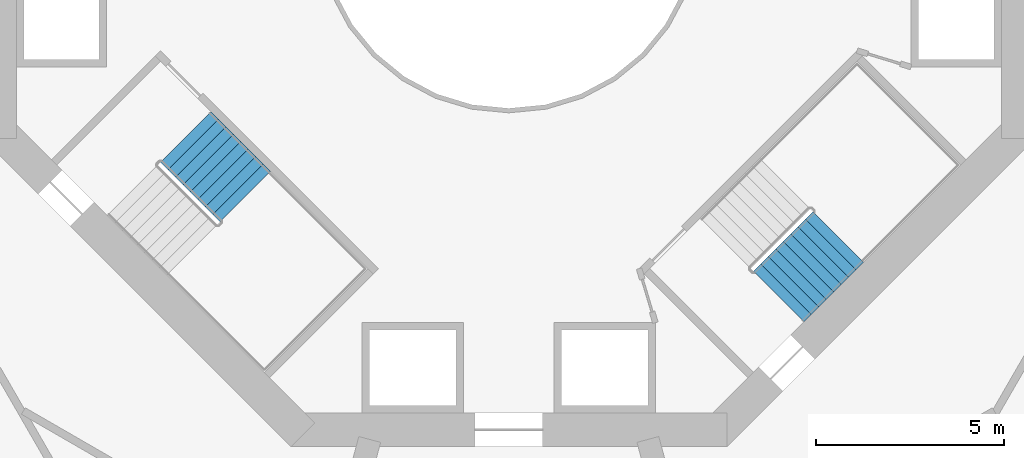
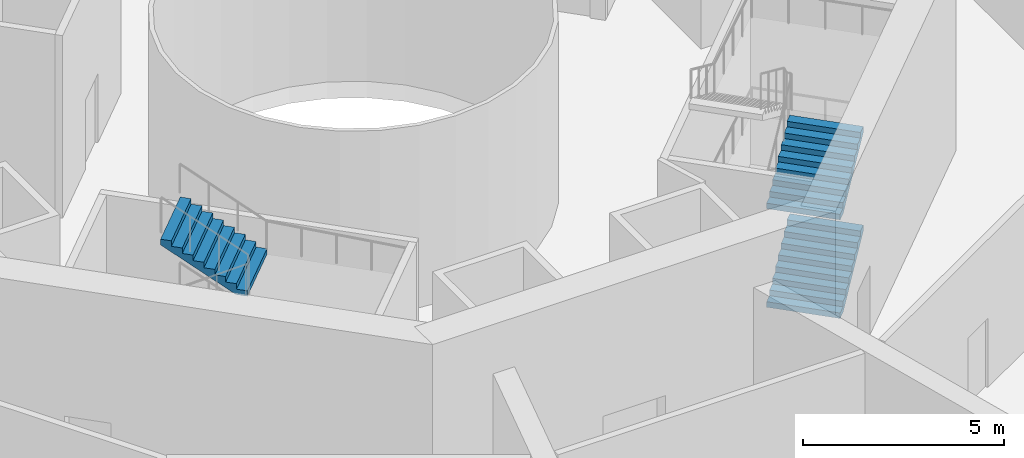
# One storey, part 8 of 12: 3 stair flights, 2 elements without a shape of their own.
"""IFC4 building model written with IfcOpenShell, lengths in metres."""

from ifc_helpers import new_model, si_unit, direction, frame, origin, place, context, subcontext, project, spatial, triangles, material, type_object, element, aggregate, save


model = new_model("IFC4")

# Units and contexts
model_context = context("Model", 3, precision=1e-05, world=origin(), true_north=direction((0.0, 1.0)))
body_context = subcontext(model_context, "Body", "Model", "MODEL_VIEW")
ifc_project = project(units=[si_unit("LENGTHUNIT", "METRE"), si_unit("AREAUNIT", "SQUARE_METRE"), si_unit("VOLUMEUNIT", "CUBIC_METRE"), si_unit("PLANEANGLEUNIT", "RADIAN"), si_unit("MASSUNIT", "GRAM", prefix="KILO")], contexts=[model_context])

# Site, building, storey
site_placement = place(None, origin())
site = spatial("IfcSite", under=ifc_project, at=site_placement, CompositionType="ELEMENT")
building_placement = place(site_placement, origin())
building = spatial("IfcBuilding", under=site, at=building_placement, Name="Verdalira Terraces Hotel", CompositionType="ELEMENT")
storey_placement = place(building_placement, frame((0.0, 0.0, 28.0)))
storey = spatial("IfcBuildingStorey", under=building, at=storey_placement, Name="L05", CompositionType="ELEMENT", Elevation=28.0)

# Stair, stair flight
ifc_material_1 = material(Name="Concrete C40", Category="concrete")
stair_type = type_object("IfcStairType", Name="Core stair 36 risers 1900 mm wide", PredefinedType="HALF_TURN_STAIR", material=ifc_material_1)
stair_1_placement = place(storey_placement, origin())
stair_1 = element("IfcStair", 1, at=stair_1_placement, inside=storey, type_object=stair_type, Name="L05 Exit stair ST2", PredefinedType="HALF_TURN_STAIR")
ifc_material_2 = material(Name="Concrete C40", Category="concrete")
stair_flight_type = type_object("IfcStairFlightType", Name="Core stair flight 36 risers 1900 mm wide", PredefinedType="STRAIGHT", material=ifc_material_2)
stair_flight_1_placement = place(storey_placement, frame((-7.007324, -7.346924, 4.5), z_axis=(0.0, 0.0, 1.0), x_axis=(-0.707106781, 0.707106781, 0.0)))
stair_flight_1 = element("IfcStairFlight", 2, at=stair_flight_1_placement, type_object=stair_flight_type, Name="ST2 flight 4", NumberOfRisers=9, NumberOfTreads=8, PredefinedType="STRAIGHT", RiserHeight=0.166666667, TreadLength=0.28, context=body_context, shape_type="Tessellation", body=[
    triangles([(0.0, 0.949951, 0.0), (0.292969, 0.949951, 0.0), (2.23999, 0.949951, 1.158936), (0.0, -0.949951, 0.0), (0.292969, -0.949951, 0.0), (2.23999, -0.949951, 1.158936), (2.23999, 0.949951, 1.333252), (1.959961, 0.949951, 1.333252), (2.23999, -0.949951, 1.333252), (1.959961, -0.949951, 1.333252), (1.959961, 0.949951, 1.166748), (1.959961, -0.949951, 1.166748), (1.679932, 0.949951, 1.166748), (1.679932, -0.949951, 1.166748), (1.679932, 0.949951, 1.0), (1.679932, -0.949951, 1.0), (1.399902, 0.949951, 1.0), (1.399902, 0.949951, 0.833252), (1.399902, -0.949951, 1.0), (1.399902, -0.949951, 0.833252), (1.120117, 0.949951, 0.833252), (1.120117, 0.949951, 0.666748), (1.120117, -0.949951, 0.833252), (1.120117, -0.949951, 0.666748), (0.840088, 0.949951, 0.666748), (0.840088, 0.949951, 0.5), (0.840088, -0.949951, 0.666748), (0.840088, -0.949951, 0.5), (0.560059, 0.949951, 0.5), (0.560059, 0.949951, 0.333252), (0.560059, -0.949951, 0.5), (0.560059, -0.949951, 0.333252), (0.280029, 0.949951, 0.333252), (0.280029, 0.949951, 0.166748), (0.280029, -0.949951, 0.333252), (0.280029, -0.949951, 0.166748), (0.0, 0.949951, 0.166748), (0.0, -0.949951, 0.166748), (0.0, -0.890579, 0.0), (0.0, -0.890579, 0.166748), (0.0, -0.831207, 0.0), (0.0, -0.831207, 0.166748), (0.0, -0.771835, 0.0), (0.0, -0.771835, 0.166748), (0.0, -0.712463, 0.0), (0.0, -0.712463, 0.166748), (0.0, -0.653091, 0.0), (0.0, -0.653091, 0.166748), (0.0, -0.593719, 0.0), (0.0, -0.593719, 0.166748), (0.0, -0.534348, 0.0), (0.0, -0.534348, 0.166748), (0.0, -0.474976, 0.0), (0.0, -0.474976, 0.166748), (0.0, -0.415604, 0.0), (0.0, -0.415604, 0.166748), (0.0, -0.356232, 0.0), (0.0, -0.356232, 0.166748), (0.0, -0.29686, 0.0), (0.0, -0.29686, 0.166748), (0.0, -0.237488, 0.0), (0.0, -0.237488, 0.166748), (0.0, -0.178116, 0.0), (0.0, -0.178116, 0.166748), (0.0, -0.118744, 0.0), (0.0, -0.118744, 0.166748), (0.0, -0.059372, 0.0), (0.0, -0.059372, 0.166748), (0.0, 0.0, 0.0), (0.0, 0.0, 0.166748), (0.0, 0.059372, 0.0), (0.0, 0.059372, 0.166748), (0.0, 0.118744, 0.0), (0.0, 0.118744, 0.166748), (0.0, 0.178116, 0.0), (0.0, 0.178116, 0.166748), (0.0, 0.237488, 0.0), (0.0, 0.237488, 0.166748), (0.0, 0.29686, 0.0), (0.0, 0.29686, 0.166748), (0.0, 0.356232, 0.0), (0.0, 0.356232, 0.166748), (0.0, 0.415604, 0.0), (0.0, 0.415604, 0.166748), (0.0, 0.474976, 0.0), (0.0, 0.474976, 0.166748), (0.0, 0.534348, 0.0), (0.0, 0.534348, 0.166748), (0.0, 0.593719, 0.0), (0.0, 0.593719, 0.166748), (0.0, 0.653091, 0.0), (0.0, 0.653091, 0.166748), (0.0, 0.712463, 0.0), (0.0, 0.712463, 0.166748), (0.0, 0.771835, 0.0), (0.0, 0.771835, 0.166748), (0.0, 0.831207, 0.0), (0.0, 0.831207, 0.166748), (0.0, 0.890579, 0.0), (0.0, 0.890579, 0.166748), (2.23999, -0.890579, 1.333252), (2.23999, -0.831207, 1.333252), (2.23999, -0.771835, 1.333252), (2.23999, -0.712463, 1.333252), (2.23999, -0.653091, 1.333252), (2.23999, -0.593719, 1.333252), (2.23999, -0.534348, 1.333252), (2.23999, -0.474976, 1.333252), (2.23999, -0.415604, 1.333252), (2.23999, -0.356232, 1.333252), (2.23999, -0.29686, 1.333252), (2.23999, -0.237488, 1.333252), (2.23999, -0.178116, 1.333252), (2.23999, -0.118744, 1.333252), (2.23999, -0.059372, 1.333252), (2.23999, 0.0, 1.333252), (2.23999, 0.059372, 1.333252), (2.23999, 0.118744, 1.333252), (2.23999, 0.178116, 1.333252), (2.23999, 0.237488, 1.333252), (2.23999, 0.29686, 1.333252), (2.23999, 0.356232, 1.333252), (2.23999, 0.415604, 1.333252), (2.23999, 0.474976, 1.333252), (2.23999, 0.534348, 1.333252), (2.23999, 0.593719, 1.333252), (2.23999, 0.653091, 1.333252), (2.23999, 0.712463, 1.333252), (2.23999, 0.771835, 1.333252), (2.23999, 0.831207, 1.333252), (2.23999, 0.890579, 1.333252), (2.23999, -0.890579, 1.158936), (2.23999, -0.831207, 1.158936), (2.23999, -0.771835, 1.158936), (2.23999, -0.712463, 1.158936), (2.23999, -0.653091, 1.158936), (2.23999, -0.593719, 1.158936), (2.23999, -0.534348, 1.158936), (2.23999, -0.474976, 1.158936), (2.23999, -0.415604, 1.158936), (2.23999, -0.356232, 1.158936), (2.23999, -0.29686, 1.158936), (2.23999, -0.237488, 1.158936), (2.23999, -0.178116, 1.158936), (2.23999, -0.118744, 1.158936), (2.23999, -0.059372, 1.158936), (2.23999, 0.0, 1.158936), (2.23999, 0.059372, 1.158936), (2.23999, 0.118744, 1.158936), (2.23999, 0.178116, 1.158936), (2.23999, 0.237488, 1.158936), (2.23999, 0.29686, 1.158936), (2.23999, 0.356232, 1.158936), (2.23999, 0.415604, 1.158936), (2.23999, 0.474976, 1.158936), (2.23999, 0.534348, 1.158936), (2.23999, 0.593719, 1.158936), (2.23999, 0.653091, 1.158936), (2.23999, 0.712463, 1.158936), (2.23999, 0.771835, 1.158936), (2.23999, 0.831207, 1.158936), (2.23999, 0.890579, 1.158936)], [[1, 3, 2], [4, 5, 6], [3, 8, 7], [6, 9, 10], [3, 11, 8], [6, 10, 12], [3, 13, 11], [6, 12, 14], [3, 15, 13], [6, 14, 16], [15, 18, 17], [16, 19, 20], [3, 18, 15], [6, 16, 20], [18, 22, 21], [20, 23, 24], [3, 22, 18], [6, 20, 24], [22, 26, 25], [24, 27, 28], [3, 26, 22], [6, 24, 28], [26, 30, 29], [28, 31, 32], [3, 30, 26], [6, 28, 32], [1, 30, 3], [4, 6, 32], [30, 34, 33], [32, 35, 36], [1, 34, 30], [4, 32, 36], [34, 1, 37], [36, 38, 4], [4, 40, 39], [4, 38, 40], [39, 42, 41], [39, 40, 42], [41, 44, 43], [41, 42, 44], [43, 46, 45], [43, 44, 46], [45, 48, 47], [45, 46, 48], [47, 50, 49], [47, 48, 50], [49, 52, 51], [49, 50, 52], [51, 54, 53], [51, 52, 54], [53, 56, 55], [53, 54, 56], [55, 58, 57], [55, 56, 58], [57, 60, 59], [57, 58, 60], [59, 62, 61], [59, 60, 62], [61, 64, 63], [61, 62, 64], [63, 66, 65], [63, 64, 66], [65, 68, 67], [65, 66, 68], [67, 70, 69], [67, 68, 70], [69, 72, 71], [69, 70, 72], [71, 74, 73], [71, 72, 74], [73, 76, 75], [73, 74, 76], [75, 78, 77], [75, 76, 78], [77, 80, 79], [77, 78, 80], [79, 82, 81], [79, 80, 82], [81, 84, 83], [81, 82, 84], [83, 86, 85], [83, 84, 86], [85, 88, 87], [85, 86, 88], [87, 90, 89], [87, 88, 90], [89, 92, 91], [89, 90, 92], [91, 94, 93], [91, 92, 94], [93, 96, 95], [93, 94, 96], [95, 98, 97], [95, 96, 98], [97, 100, 99], [97, 98, 100], [99, 37, 1], [99, 100, 37], [38, 36, 40], [40, 36, 42], [42, 36, 44], [44, 36, 46], [46, 36, 48], [48, 36, 50], [50, 36, 52], [52, 36, 54], [54, 36, 56], [56, 36, 58], [58, 36, 60], [60, 36, 62], [62, 36, 64], [64, 36, 66], [66, 36, 68], [68, 36, 70], [70, 36, 72], [72, 36, 74], [74, 36, 76], [76, 36, 78], [78, 36, 80], [80, 36, 82], [82, 36, 84], [84, 36, 86], [86, 36, 88], [88, 36, 90], [90, 36, 92], [92, 36, 94], [94, 36, 96], [96, 36, 98], [98, 36, 100], [100, 36, 37], [37, 36, 34], [36, 33, 34], [36, 35, 33], [35, 30, 33], [35, 32, 30], [32, 29, 30], [32, 31, 29], [31, 26, 29], [31, 28, 26], [28, 25, 26], [28, 27, 25], [27, 22, 25], [27, 24, 22], [24, 21, 22], [24, 23, 21], [23, 18, 21], [23, 20, 18], [20, 17, 18], [20, 19, 17], [19, 15, 17], [19, 16, 15], [16, 13, 15], [16, 14, 13], [14, 11, 13], [14, 12, 11], [12, 8, 11], [12, 10, 8], [9, 101, 10], [101, 102, 10], [102, 103, 10], [103, 104, 10], [104, 105, 10], [105, 106, 10], [106, 107, 10], [107, 108, 10], [108, 109, 10], [109, 110, 10], [110, 111, 10], [111, 112, 10], [112, 113, 10], [113, 114, 10], [114, 115, 10], [115, 116, 10], [116, 117, 10], [117, 118, 10], [118, 119, 10], [119, 120, 10], [120, 121, 10], [121, 122, 10], [122, 123, 10], [123, 124, 10], [124, 125, 10], [125, 126, 10], [126, 127, 10], [127, 128, 10], [128, 129, 10], [129, 130, 10], [130, 131, 10], [131, 7, 10], [7, 8, 10], [9, 132, 101], [9, 6, 132], [101, 133, 102], [101, 132, 133], [102, 134, 103], [102, 133, 134], [103, 135, 104], [103, 134, 135], [104, 136, 105], [104, 135, 136], [105, 137, 106], [105, 136, 137], [106, 138, 107], [106, 137, 138], [107, 139, 108], [107, 138, 139], [108, 140, 109], [108, 139, 140], [109, 141, 110], [109, 140, 141], [110, 142, 111], [110, 141, 142], [111, 143, 112], [111, 142, 143], [112, 144, 113], [112, 143, 144], [113, 145, 114], [113, 144, 145], [114, 146, 115], [114, 145, 146], [115, 147, 116], [115, 146, 147], [116, 148, 117], [116, 147, 148], [117, 149, 118], [117, 148, 149], [118, 150, 119], [118, 149, 150], [119, 151, 120], [119, 150, 151], [120, 152, 121], [120, 151, 152], [121, 153, 122], [121, 152, 153], [122, 154, 123], [122, 153, 154], [123, 155, 124], [123, 154, 155], [124, 156, 125], [124, 155, 156], [125, 157, 126], [125, 156, 157], [126, 158, 127], [126, 157, 158], [127, 159, 128], [127, 158, 159], [128, 160, 129], [128, 159, 160], [129, 161, 130], [129, 160, 161], [130, 162, 131], [130, 161, 162], [131, 3, 7], [131, 162, 3], [6, 5, 132], [132, 5, 133], [133, 5, 134], [134, 5, 135], [135, 5, 136], [136, 5, 137], [137, 5, 138], [138, 5, 139], [139, 5, 140], [140, 5, 141], [141, 5, 142], [142, 5, 143], [143, 5, 144], [144, 5, 145], [145, 5, 146], [146, 5, 147], [147, 5, 148], [148, 5, 149], [149, 5, 150], [150, 5, 151], [151, 5, 152], [152, 5, 153], [153, 5, 154], [154, 5, 155], [155, 5, 156], [156, 5, 157], [157, 5, 158], [158, 5, 159], [159, 5, 160], [160, 5, 161], [161, 5, 162], [162, 5, 3], [3, 5, 2], [4, 39, 5], [39, 41, 5], [41, 43, 5], [43, 45, 5], [45, 47, 5], [47, 49, 5], [49, 51, 5], [51, 53, 5], [53, 55, 5], [55, 57, 5], [57, 59, 5], [59, 61, 5], [61, 63, 5], [63, 65, 5], [65, 67, 5], [67, 69, 5], [69, 71, 5], [71, 73, 5], [73, 75, 5], [75, 77, 5], [77, 79, 5], [79, 81, 5], [81, 83, 5], [83, 85, 5], [85, 87, 5], [87, 89, 5], [89, 91, 5], [91, 93, 5], [93, 95, 5], [95, 97, 5], [97, 99, 5], [99, 1, 5], [1, 2, 5]], closed=True),
])
aggregate(stair_1, [stair_flight_1])

# Stair, stair flights
stair_2_placement = place(storey_placement, origin())
stair_2 = element("IfcStair", 3, at=stair_2_placement, inside=storey, type_object=stair_type, Name="L05 Exit stair ST3", PredefinedType="HALF_TURN_STAIR")
stair_flight_2_placement = place(storey_placement, frame((7.177246, -10.005615, 0.0), z_axis=(0.0, 0.0, 1.0), x_axis=(0.707106781, 0.707106781, 0.0)))
stair_flight_2 = element("IfcStairFlight", 4, at=stair_flight_2_placement, type_object=stair_flight_type, Name="ST3 flight 1", NumberOfRisers=9, NumberOfTreads=8, PredefinedType="STRAIGHT", RiserHeight=0.166666667, TreadLength=0.28, context=body_context, shape_type="Tessellation", body=[
    triangles([(0.0, 0.949951, 0.0), (0.292969, 0.949951, 0.0), (2.23999, 0.949951, 1.158936), (0.0, -0.949951, 0.0), (0.292969, -0.949951, 0.0), (2.23999, -0.949951, 1.158936), (2.23999, 0.949951, 1.333252), (1.959961, 0.949951, 1.333252), (2.23999, -0.949951, 1.333252), (1.959961, -0.949951, 1.333252), (1.959961, 0.949951, 1.166748), (1.959961, -0.949951, 1.166748), (1.679932, 0.949951, 1.166748), (1.679932, -0.949951, 1.166748), (1.679932, 0.949951, 1.0), (1.679932, -0.949951, 1.0), (1.399902, 0.949951, 1.0), (1.399902, 0.949951, 0.833252), (1.399902, -0.949951, 1.0), (1.399902, -0.949951, 0.833252), (1.120117, 0.949951, 0.833252), (1.120117, 0.949951, 0.666748), (1.120117, -0.949951, 0.833252), (1.120117, -0.949951, 0.666748), (0.840088, 0.949951, 0.666748), (0.840088, 0.949951, 0.5), (0.840088, -0.949951, 0.666748), (0.840088, -0.949951, 0.5), (0.560059, 0.949951, 0.5), (0.560059, 0.949951, 0.333252), (0.560059, -0.949951, 0.5), (0.560059, -0.949951, 0.333252), (0.280029, 0.949951, 0.333252), (0.280029, 0.949951, 0.166748), (0.280029, -0.949951, 0.333252), (0.280029, -0.949951, 0.166748), (0.0, 0.949951, 0.166748), (0.0, -0.949951, 0.166748), (0.0, -0.890579, 0.0), (0.0, -0.890579, 0.166748), (0.0, -0.831207, 0.0), (0.0, -0.831207, 0.166748), (0.0, -0.771835, 0.0), (0.0, -0.771835, 0.166748), (0.0, -0.712463, 0.0), (0.0, -0.712463, 0.166748), (0.0, -0.653091, 0.0), (0.0, -0.653091, 0.166748), (0.0, -0.593719, 0.0), (0.0, -0.593719, 0.166748), (0.0, -0.534348, 0.0), (0.0, -0.534348, 0.166748), (0.0, -0.474976, 0.0), (0.0, -0.474976, 0.166748), (0.0, -0.415604, 0.0), (0.0, -0.415604, 0.166748), (0.0, -0.356232, 0.0), (0.0, -0.356232, 0.166748), (0.0, -0.29686, 0.0), (0.0, -0.29686, 0.166748), (0.0, -0.237488, 0.0), (0.0, -0.237488, 0.166748), (0.0, -0.178116, 0.0), (0.0, -0.178116, 0.166748), (0.0, -0.118744, 0.0), (0.0, -0.118744, 0.166748), (0.0, -0.059372, 0.0), (0.0, -0.059372, 0.166748), (0.0, 0.0, 0.0), (0.0, 0.0, 0.166748), (0.0, 0.059372, 0.0), (0.0, 0.059372, 0.166748), (0.0, 0.118744, 0.0), (0.0, 0.118744, 0.166748), (0.0, 0.178116, 0.0), (0.0, 0.178116, 0.166748), (0.0, 0.237488, 0.0), (0.0, 0.237488, 0.166748), (0.0, 0.29686, 0.0), (0.0, 0.29686, 0.166748), (0.0, 0.356232, 0.0), (0.0, 0.356232, 0.166748), (0.0, 0.415604, 0.0), (0.0, 0.415604, 0.166748), (0.0, 0.474976, 0.0), (0.0, 0.474976, 0.166748), (0.0, 0.534348, 0.0), (0.0, 0.534348, 0.166748), (0.0, 0.593719, 0.0), (0.0, 0.593719, 0.166748), (0.0, 0.653091, 0.0), (0.0, 0.653091, 0.166748), (0.0, 0.712463, 0.0), (0.0, 0.712463, 0.166748), (0.0, 0.771835, 0.0), (0.0, 0.771835, 0.166748), (0.0, 0.831207, 0.0), (0.0, 0.831207, 0.166748), (0.0, 0.890579, 0.0), (0.0, 0.890579, 0.166748), (2.23999, -0.890579, 1.333252), (2.23999, -0.831207, 1.333252), (2.23999, -0.771835, 1.333252), (2.23999, -0.712463, 1.333252), (2.23999, -0.653091, 1.333252), (2.23999, -0.593719, 1.333252), (2.23999, -0.534348, 1.333252), (2.23999, -0.474976, 1.333252), (2.23999, -0.415604, 1.333252), (2.23999, -0.356232, 1.333252), (2.23999, -0.29686, 1.333252), (2.23999, -0.237488, 1.333252), (2.23999, -0.178116, 1.333252), (2.23999, -0.118744, 1.333252), (2.23999, -0.059372, 1.333252), (2.23999, 0.0, 1.333252), (2.23999, 0.059372, 1.333252), (2.23999, 0.118744, 1.333252), (2.23999, 0.178116, 1.333252), (2.23999, 0.237488, 1.333252), (2.23999, 0.29686, 1.333252), (2.23999, 0.356232, 1.333252), (2.23999, 0.415604, 1.333252), (2.23999, 0.474976, 1.333252), (2.23999, 0.534348, 1.333252), (2.23999, 0.593719, 1.333252), (2.23999, 0.653091, 1.333252), (2.23999, 0.712463, 1.333252), (2.23999, 0.771835, 1.333252), (2.23999, 0.831207, 1.333252), (2.23999, 0.890579, 1.333252), (2.23999, -0.890579, 1.158936), (2.23999, -0.831207, 1.158936), (2.23999, -0.771835, 1.158936), (2.23999, -0.712463, 1.158936), (2.23999, -0.653091, 1.158936), (2.23999, -0.593719, 1.158936), (2.23999, -0.534348, 1.158936), (2.23999, -0.474976, 1.158936), (2.23999, -0.415604, 1.158936), (2.23999, -0.356232, 1.158936), (2.23999, -0.29686, 1.158936), (2.23999, -0.237488, 1.158936), (2.23999, -0.178116, 1.158936), (2.23999, -0.118744, 1.158936), (2.23999, -0.059372, 1.158936), (2.23999, 0.0, 1.158936), (2.23999, 0.059372, 1.158936), (2.23999, 0.118744, 1.158936), (2.23999, 0.178116, 1.158936), (2.23999, 0.237488, 1.158936), (2.23999, 0.29686, 1.158936), (2.23999, 0.356232, 1.158936), (2.23999, 0.415604, 1.158936), (2.23999, 0.474976, 1.158936), (2.23999, 0.534348, 1.158936), (2.23999, 0.593719, 1.158936), (2.23999, 0.653091, 1.158936), (2.23999, 0.712463, 1.158936), (2.23999, 0.771835, 1.158936), (2.23999, 0.831207, 1.158936), (2.23999, 0.890579, 1.158936)], [[1, 3, 2], [4, 5, 6], [3, 8, 7], [6, 9, 10], [3, 11, 8], [6, 10, 12], [3, 13, 11], [6, 12, 14], [3, 15, 13], [6, 14, 16], [15, 18, 17], [16, 19, 20], [3, 18, 15], [6, 16, 20], [18, 22, 21], [20, 23, 24], [3, 22, 18], [6, 20, 24], [22, 26, 25], [24, 27, 28], [3, 26, 22], [6, 24, 28], [26, 30, 29], [28, 31, 32], [3, 30, 26], [6, 28, 32], [1, 30, 3], [4, 6, 32], [30, 34, 33], [32, 35, 36], [1, 34, 30], [4, 32, 36], [34, 1, 37], [36, 38, 4], [4, 40, 39], [4, 38, 40], [39, 42, 41], [39, 40, 42], [41, 44, 43], [41, 42, 44], [43, 46, 45], [43, 44, 46], [45, 48, 47], [45, 46, 48], [47, 50, 49], [47, 48, 50], [49, 52, 51], [49, 50, 52], [51, 54, 53], [51, 52, 54], [53, 56, 55], [53, 54, 56], [55, 58, 57], [55, 56, 58], [57, 60, 59], [57, 58, 60], [59, 62, 61], [59, 60, 62], [61, 64, 63], [61, 62, 64], [63, 66, 65], [63, 64, 66], [65, 68, 67], [65, 66, 68], [67, 70, 69], [67, 68, 70], [69, 72, 71], [69, 70, 72], [71, 74, 73], [71, 72, 74], [73, 76, 75], [73, 74, 76], [75, 78, 77], [75, 76, 78], [77, 80, 79], [77, 78, 80], [79, 82, 81], [79, 80, 82], [81, 84, 83], [81, 82, 84], [83, 86, 85], [83, 84, 86], [85, 88, 87], [85, 86, 88], [87, 90, 89], [87, 88, 90], [89, 92, 91], [89, 90, 92], [91, 94, 93], [91, 92, 94], [93, 96, 95], [93, 94, 96], [95, 98, 97], [95, 96, 98], [97, 100, 99], [97, 98, 100], [99, 37, 1], [99, 100, 37], [38, 36, 40], [40, 36, 42], [42, 36, 44], [44, 36, 46], [46, 36, 48], [48, 36, 50], [50, 36, 52], [52, 36, 54], [54, 36, 56], [56, 36, 58], [58, 36, 60], [60, 36, 62], [62, 36, 64], [64, 36, 66], [66, 36, 68], [68, 36, 70], [70, 36, 72], [72, 36, 74], [74, 36, 76], [76, 36, 78], [78, 36, 80], [80, 36, 82], [82, 36, 84], [84, 36, 86], [86, 36, 88], [88, 36, 90], [90, 36, 92], [92, 36, 94], [94, 36, 96], [96, 36, 98], [98, 36, 100], [100, 36, 37], [37, 36, 34], [36, 33, 34], [36, 35, 33], [35, 30, 33], [35, 32, 30], [32, 29, 30], [32, 31, 29], [31, 26, 29], [31, 28, 26], [28, 25, 26], [28, 27, 25], [27, 22, 25], [27, 24, 22], [24, 21, 22], [24, 23, 21], [23, 18, 21], [23, 20, 18], [20, 17, 18], [20, 19, 17], [19, 15, 17], [19, 16, 15], [16, 13, 15], [16, 14, 13], [14, 11, 13], [14, 12, 11], [12, 8, 11], [12, 10, 8], [9, 101, 10], [101, 102, 10], [102, 103, 10], [103, 104, 10], [104, 105, 10], [105, 106, 10], [106, 107, 10], [107, 108, 10], [108, 109, 10], [109, 110, 10], [110, 111, 10], [111, 112, 10], [112, 113, 10], [113, 114, 10], [114, 115, 10], [115, 116, 10], [116, 117, 10], [117, 118, 10], [118, 119, 10], [119, 120, 10], [120, 121, 10], [121, 122, 10], [122, 123, 10], [123, 124, 10], [124, 125, 10], [125, 126, 10], [126, 127, 10], [127, 128, 10], [128, 129, 10], [129, 130, 10], [130, 131, 10], [131, 7, 10], [7, 8, 10], [9, 132, 101], [9, 6, 132], [101, 133, 102], [101, 132, 133], [102, 134, 103], [102, 133, 134], [103, 135, 104], [103, 134, 135], [104, 136, 105], [104, 135, 136], [105, 137, 106], [105, 136, 137], [106, 138, 107], [106, 137, 138], [107, 139, 108], [107, 138, 139], [108, 140, 109], [108, 139, 140], [109, 141, 110], [109, 140, 141], [110, 142, 111], [110, 141, 142], [111, 143, 112], [111, 142, 143], [112, 144, 113], [112, 143, 144], [113, 145, 114], [113, 144, 145], [114, 146, 115], [114, 145, 146], [115, 147, 116], [115, 146, 147], [116, 148, 117], [116, 147, 148], [117, 149, 118], [117, 148, 149], [118, 150, 119], [118, 149, 150], [119, 151, 120], [119, 150, 151], [120, 152, 121], [120, 151, 152], [121, 153, 122], [121, 152, 153], [122, 154, 123], [122, 153, 154], [123, 155, 124], [123, 154, 155], [124, 156, 125], [124, 155, 156], [125, 157, 126], [125, 156, 157], [126, 158, 127], [126, 157, 158], [127, 159, 128], [127, 158, 159], [128, 160, 129], [128, 159, 160], [129, 161, 130], [129, 160, 161], [130, 162, 131], [130, 161, 162], [131, 3, 7], [131, 162, 3], [6, 5, 132], [132, 5, 133], [133, 5, 134], [134, 5, 135], [135, 5, 136], [136, 5, 137], [137, 5, 138], [138, 5, 139], [139, 5, 140], [140, 5, 141], [141, 5, 142], [142, 5, 143], [143, 5, 144], [144, 5, 145], [145, 5, 146], [146, 5, 147], [147, 5, 148], [148, 5, 149], [149, 5, 150], [150, 5, 151], [151, 5, 152], [152, 5, 153], [153, 5, 154], [154, 5, 155], [155, 5, 156], [156, 5, 157], [157, 5, 158], [158, 5, 159], [159, 5, 160], [160, 5, 161], [161, 5, 162], [162, 5, 3], [3, 5, 2], [4, 39, 5], [39, 41, 5], [41, 43, 5], [43, 45, 5], [45, 47, 5], [47, 49, 5], [49, 51, 5], [51, 53, 5], [53, 55, 5], [55, 57, 5], [57, 59, 5], [59, 61, 5], [61, 63, 5], [63, 65, 5], [65, 67, 5], [67, 69, 5], [69, 71, 5], [71, 73, 5], [73, 75, 5], [75, 77, 5], [77, 79, 5], [79, 81, 5], [81, 83, 5], [83, 85, 5], [85, 87, 5], [87, 89, 5], [89, 91, 5], [91, 93, 5], [93, 95, 5], [95, 97, 5], [97, 99, 5], [99, 1, 5], [1, 2, 5]], closed=True),
])
stair_flight_3_placement = place(storey_placement, frame((7.177246, -10.005615, 3.0), z_axis=(0.0, 0.0, 1.0), x_axis=(0.707106781, 0.707106781, 0.0)))
stair_flight_3 = element("IfcStairFlight", 5, at=stair_flight_3_placement, type_object=stair_flight_type, Name="ST3 flight 3", NumberOfRisers=9, NumberOfTreads=8, PredefinedType="STRAIGHT", RiserHeight=0.166666667, TreadLength=0.28, context=body_context, shape_type="Tessellation", body=[
    triangles([(0.0, 0.949951, 0.0), (0.292969, 0.949951, 0.0), (2.23999, 0.949951, 1.158936), (0.0, -0.949951, 0.0), (0.292969, -0.949951, 0.0), (2.23999, -0.949951, 1.158936), (2.23999, 0.949951, 1.333252), (1.959961, 0.949951, 1.333252), (2.23999, -0.949951, 1.333252), (1.959961, -0.949951, 1.333252), (1.959961, 0.949951, 1.166748), (1.959961, -0.949951, 1.166748), (1.679932, 0.949951, 1.166748), (1.679932, -0.949951, 1.166748), (1.679932, 0.949951, 1.0), (1.679932, -0.949951, 1.0), (1.399902, 0.949951, 1.0), (1.399902, 0.949951, 0.833252), (1.399902, -0.949951, 1.0), (1.399902, -0.949951, 0.833252), (1.120117, 0.949951, 0.833252), (1.120117, 0.949951, 0.666748), (1.120117, -0.949951, 0.833252), (1.120117, -0.949951, 0.666748), (0.840088, 0.949951, 0.666748), (0.840088, 0.949951, 0.5), (0.840088, -0.949951, 0.666748), (0.840088, -0.949951, 0.5), (0.560059, 0.949951, 0.5), (0.560059, 0.949951, 0.333252), (0.560059, -0.949951, 0.5), (0.560059, -0.949951, 0.333252), (0.280029, 0.949951, 0.333252), (0.280029, 0.949951, 0.166748), (0.280029, -0.949951, 0.333252), (0.280029, -0.949951, 0.166748), (0.0, 0.949951, 0.166748), (0.0, -0.949951, 0.166748), (0.0, -0.890579, 0.0), (0.0, -0.890579, 0.166748), (0.0, -0.831207, 0.0), (0.0, -0.831207, 0.166748), (0.0, -0.771835, 0.0), (0.0, -0.771835, 0.166748), (0.0, -0.712463, 0.0), (0.0, -0.712463, 0.166748), (0.0, -0.653091, 0.0), (0.0, -0.653091, 0.166748), (0.0, -0.593719, 0.0), (0.0, -0.593719, 0.166748), (0.0, -0.534348, 0.0), (0.0, -0.534348, 0.166748), (0.0, -0.474976, 0.0), (0.0, -0.474976, 0.166748), (0.0, -0.415604, 0.0), (0.0, -0.415604, 0.166748), (0.0, -0.356232, 0.0), (0.0, -0.356232, 0.166748), (0.0, -0.29686, 0.0), (0.0, -0.29686, 0.166748), (0.0, -0.237488, 0.0), (0.0, -0.237488, 0.166748), (0.0, -0.178116, 0.0), (0.0, -0.178116, 0.166748), (0.0, -0.118744, 0.0), (0.0, -0.118744, 0.166748), (0.0, -0.059372, 0.0), (0.0, -0.059372, 0.166748), (0.0, 0.0, 0.0), (0.0, 0.0, 0.166748), (0.0, 0.059372, 0.0), (0.0, 0.059372, 0.166748), (0.0, 0.118744, 0.0), (0.0, 0.118744, 0.166748), (0.0, 0.178116, 0.0), (0.0, 0.178116, 0.166748), (0.0, 0.237488, 0.0), (0.0, 0.237488, 0.166748), (0.0, 0.29686, 0.0), (0.0, 0.29686, 0.166748), (0.0, 0.356232, 0.0), (0.0, 0.356232, 0.166748), (0.0, 0.415604, 0.0), (0.0, 0.415604, 0.166748), (0.0, 0.474976, 0.0), (0.0, 0.474976, 0.166748), (0.0, 0.534348, 0.0), (0.0, 0.534348, 0.166748), (0.0, 0.593719, 0.0), (0.0, 0.593719, 0.166748), (0.0, 0.653091, 0.0), (0.0, 0.653091, 0.166748), (0.0, 0.712463, 0.0), (0.0, 0.712463, 0.166748), (0.0, 0.771835, 0.0), (0.0, 0.771835, 0.166748), (0.0, 0.831207, 0.0), (0.0, 0.831207, 0.166748), (0.0, 0.890579, 0.0), (0.0, 0.890579, 0.166748), (2.23999, -0.890579, 1.333252), (2.23999, -0.831207, 1.333252), (2.23999, -0.771835, 1.333252), (2.23999, -0.712463, 1.333252), (2.23999, -0.653091, 1.333252), (2.23999, -0.593719, 1.333252), (2.23999, -0.534348, 1.333252), (2.23999, -0.474976, 1.333252), (2.23999, -0.415604, 1.333252), (2.23999, -0.356232, 1.333252), (2.23999, -0.29686, 1.333252), (2.23999, -0.237488, 1.333252), (2.23999, -0.178116, 1.333252), (2.23999, -0.118744, 1.333252), (2.23999, -0.059372, 1.333252), (2.23999, 0.0, 1.333252), (2.23999, 0.059372, 1.333252), (2.23999, 0.118744, 1.333252), (2.23999, 0.178116, 1.333252), (2.23999, 0.237488, 1.333252), (2.23999, 0.29686, 1.333252), (2.23999, 0.356232, 1.333252), (2.23999, 0.415604, 1.333252), (2.23999, 0.474976, 1.333252), (2.23999, 0.534348, 1.333252), (2.23999, 0.593719, 1.333252), (2.23999, 0.653091, 1.333252), (2.23999, 0.712463, 1.333252), (2.23999, 0.771835, 1.333252), (2.23999, 0.831207, 1.333252), (2.23999, 0.890579, 1.333252), (2.23999, -0.890579, 1.158936), (2.23999, -0.831207, 1.158936), (2.23999, -0.771835, 1.158936), (2.23999, -0.712463, 1.158936), (2.23999, -0.653091, 1.158936), (2.23999, -0.593719, 1.158936), (2.23999, -0.534348, 1.158936), (2.23999, -0.474976, 1.158936), (2.23999, -0.415604, 1.158936), (2.23999, -0.356232, 1.158936), (2.23999, -0.29686, 1.158936), (2.23999, -0.237488, 1.158936), (2.23999, -0.178116, 1.158936), (2.23999, -0.118744, 1.158936), (2.23999, -0.059372, 1.158936), (2.23999, 0.0, 1.158936), (2.23999, 0.059372, 1.158936), (2.23999, 0.118744, 1.158936), (2.23999, 0.178116, 1.158936), (2.23999, 0.237488, 1.158936), (2.23999, 0.29686, 1.158936), (2.23999, 0.356232, 1.158936), (2.23999, 0.415604, 1.158936), (2.23999, 0.474976, 1.158936), (2.23999, 0.534348, 1.158936), (2.23999, 0.593719, 1.158936), (2.23999, 0.653091, 1.158936), (2.23999, 0.712463, 1.158936), (2.23999, 0.771835, 1.158936), (2.23999, 0.831207, 1.158936), (2.23999, 0.890579, 1.158936)], [[1, 3, 2], [4, 5, 6], [3, 8, 7], [6, 9, 10], [3, 11, 8], [6, 10, 12], [3, 13, 11], [6, 12, 14], [3, 15, 13], [6, 14, 16], [15, 18, 17], [16, 19, 20], [3, 18, 15], [6, 16, 20], [18, 22, 21], [20, 23, 24], [3, 22, 18], [6, 20, 24], [22, 26, 25], [24, 27, 28], [3, 26, 22], [6, 24, 28], [26, 30, 29], [28, 31, 32], [3, 30, 26], [6, 28, 32], [1, 30, 3], [4, 6, 32], [30, 34, 33], [32, 35, 36], [1, 34, 30], [4, 32, 36], [34, 1, 37], [36, 38, 4], [4, 40, 39], [4, 38, 40], [39, 42, 41], [39, 40, 42], [41, 44, 43], [41, 42, 44], [43, 46, 45], [43, 44, 46], [45, 48, 47], [45, 46, 48], [47, 50, 49], [47, 48, 50], [49, 52, 51], [49, 50, 52], [51, 54, 53], [51, 52, 54], [53, 56, 55], [53, 54, 56], [55, 58, 57], [55, 56, 58], [57, 60, 59], [57, 58, 60], [59, 62, 61], [59, 60, 62], [61, 64, 63], [61, 62, 64], [63, 66, 65], [63, 64, 66], [65, 68, 67], [65, 66, 68], [67, 70, 69], [67, 68, 70], [69, 72, 71], [69, 70, 72], [71, 74, 73], [71, 72, 74], [73, 76, 75], [73, 74, 76], [75, 78, 77], [75, 76, 78], [77, 80, 79], [77, 78, 80], [79, 82, 81], [79, 80, 82], [81, 84, 83], [81, 82, 84], [83, 86, 85], [83, 84, 86], [85, 88, 87], [85, 86, 88], [87, 90, 89], [87, 88, 90], [89, 92, 91], [89, 90, 92], [91, 94, 93], [91, 92, 94], [93, 96, 95], [93, 94, 96], [95, 98, 97], [95, 96, 98], [97, 100, 99], [97, 98, 100], [99, 37, 1], [99, 100, 37], [38, 36, 40], [40, 36, 42], [42, 36, 44], [44, 36, 46], [46, 36, 48], [48, 36, 50], [50, 36, 52], [52, 36, 54], [54, 36, 56], [56, 36, 58], [58, 36, 60], [60, 36, 62], [62, 36, 64], [64, 36, 66], [66, 36, 68], [68, 36, 70], [70, 36, 72], [72, 36, 74], [74, 36, 76], [76, 36, 78], [78, 36, 80], [80, 36, 82], [82, 36, 84], [84, 36, 86], [86, 36, 88], [88, 36, 90], [90, 36, 92], [92, 36, 94], [94, 36, 96], [96, 36, 98], [98, 36, 100], [100, 36, 37], [37, 36, 34], [36, 33, 34], [36, 35, 33], [35, 30, 33], [35, 32, 30], [32, 29, 30], [32, 31, 29], [31, 26, 29], [31, 28, 26], [28, 25, 26], [28, 27, 25], [27, 22, 25], [27, 24, 22], [24, 21, 22], [24, 23, 21], [23, 18, 21], [23, 20, 18], [20, 17, 18], [20, 19, 17], [19, 15, 17], [19, 16, 15], [16, 13, 15], [16, 14, 13], [14, 11, 13], [14, 12, 11], [12, 8, 11], [12, 10, 8], [9, 101, 10], [101, 102, 10], [102, 103, 10], [103, 104, 10], [104, 105, 10], [105, 106, 10], [106, 107, 10], [107, 108, 10], [108, 109, 10], [109, 110, 10], [110, 111, 10], [111, 112, 10], [112, 113, 10], [113, 114, 10], [114, 115, 10], [115, 116, 10], [116, 117, 10], [117, 118, 10], [118, 119, 10], [119, 120, 10], [120, 121, 10], [121, 122, 10], [122, 123, 10], [123, 124, 10], [124, 125, 10], [125, 126, 10], [126, 127, 10], [127, 128, 10], [128, 129, 10], [129, 130, 10], [130, 131, 10], [131, 7, 10], [7, 8, 10], [9, 132, 101], [9, 6, 132], [101, 133, 102], [101, 132, 133], [102, 134, 103], [102, 133, 134], [103, 135, 104], [103, 134, 135], [104, 136, 105], [104, 135, 136], [105, 137, 106], [105, 136, 137], [106, 138, 107], [106, 137, 138], [107, 139, 108], [107, 138, 139], [108, 140, 109], [108, 139, 140], [109, 141, 110], [109, 140, 141], [110, 142, 111], [110, 141, 142], [111, 143, 112], [111, 142, 143], [112, 144, 113], [112, 143, 144], [113, 145, 114], [113, 144, 145], [114, 146, 115], [114, 145, 146], [115, 147, 116], [115, 146, 147], [116, 148, 117], [116, 147, 148], [117, 149, 118], [117, 148, 149], [118, 150, 119], [118, 149, 150], [119, 151, 120], [119, 150, 151], [120, 152, 121], [120, 151, 152], [121, 153, 122], [121, 152, 153], [122, 154, 123], [122, 153, 154], [123, 155, 124], [123, 154, 155], [124, 156, 125], [124, 155, 156], [125, 157, 126], [125, 156, 157], [126, 158, 127], [126, 157, 158], [127, 159, 128], [127, 158, 159], [128, 160, 129], [128, 159, 160], [129, 161, 130], [129, 160, 161], [130, 162, 131], [130, 161, 162], [131, 3, 7], [131, 162, 3], [6, 5, 132], [132, 5, 133], [133, 5, 134], [134, 5, 135], [135, 5, 136], [136, 5, 137], [137, 5, 138], [138, 5, 139], [139, 5, 140], [140, 5, 141], [141, 5, 142], [142, 5, 143], [143, 5, 144], [144, 5, 145], [145, 5, 146], [146, 5, 147], [147, 5, 148], [148, 5, 149], [149, 5, 150], [150, 5, 151], [151, 5, 152], [152, 5, 153], [153, 5, 154], [154, 5, 155], [155, 5, 156], [156, 5, 157], [157, 5, 158], [158, 5, 159], [159, 5, 160], [160, 5, 161], [161, 5, 162], [162, 5, 3], [3, 5, 2], [4, 39, 5], [39, 41, 5], [41, 43, 5], [43, 45, 5], [45, 47, 5], [47, 49, 5], [49, 51, 5], [51, 53, 5], [53, 55, 5], [55, 57, 5], [57, 59, 5], [59, 61, 5], [61, 63, 5], [63, 65, 5], [65, 67, 5], [67, 69, 5], [69, 71, 5], [71, 73, 5], [73, 75, 5], [75, 77, 5], [77, 79, 5], [79, 81, 5], [81, 83, 5], [83, 85, 5], [85, 87, 5], [87, 89, 5], [89, 91, 5], [91, 93, 5], [93, 95, 5], [95, 97, 5], [97, 99, 5], [99, 1, 5], [1, 2, 5]], closed=True),
])
aggregate(stair_2, [stair_flight_2, stair_flight_3])

save(model, "model.ifc")
